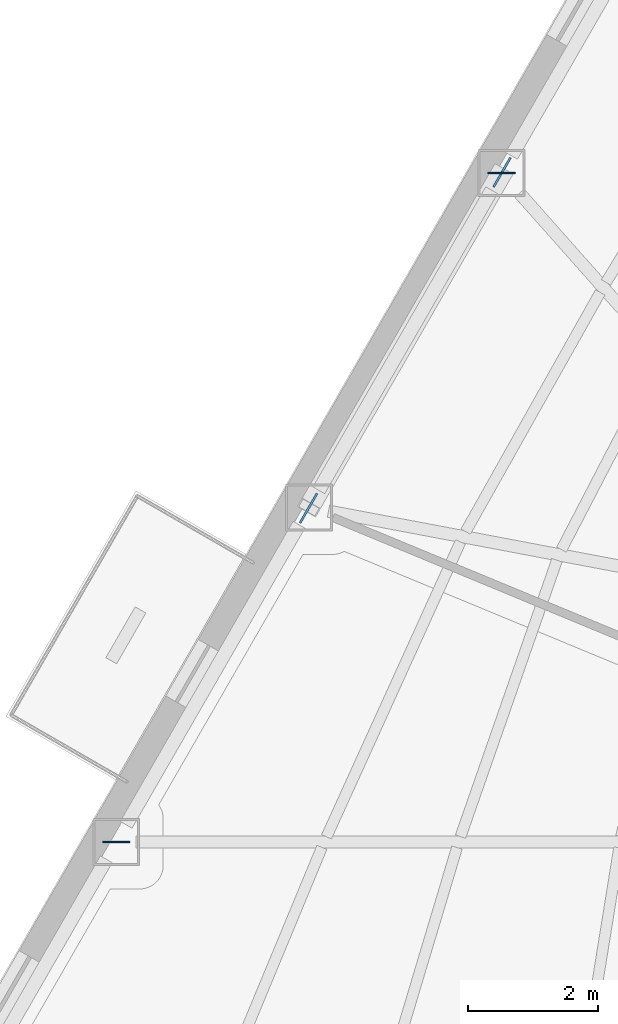
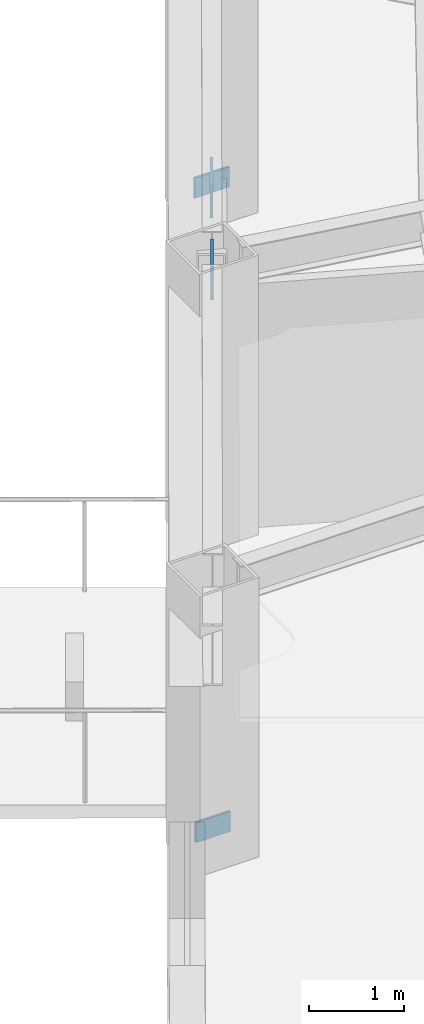
# One storey, part 5 of 12: 4 plates.
"""IFC4 building model written with IfcOpenShell, lengths in metres."""

from ifc_helpers import new_model, si_unit, direction, frame, origin, origin_2d, place, context, subcontext, project, spatial, rectangle, extrude, material, layer, layer_set, type_object, element, save


model = new_model("IFC4")

# Units and contexts
model_context = context("Model", 3, precision=1e-05, world=origin(), true_north=direction((0.0, 1.0)))
body_context = subcontext(model_context, "Body", "Model", "MODEL_VIEW")
ifc_project = project(units=[si_unit("LENGTHUNIT", "METRE"), si_unit("AREAUNIT", "SQUARE_METRE"), si_unit("VOLUMEUNIT", "CUBIC_METRE"), si_unit("PLANEANGLEUNIT", "RADIAN"), si_unit("MASSUNIT", "GRAM", prefix="KILO")], contexts=[model_context])

# Site, building, storey
site_placement = place(None, origin())
site = spatial("IfcSite", under=ifc_project, at=site_placement, CompositionType="ELEMENT")
building_placement = place(site_placement, origin())
building = spatial("IfcBuilding", under=site, at=building_placement, Name="Kavelnor Concourse Tower", CompositionType="ELEMENT")
storey_placement = place(building_placement, frame((0.0, 0.0, 120.14990234375)))
storey = spatial("IfcBuildingStorey", under=building, at=storey_placement, Name="L30", CompositionType="ELEMENT", Elevation=120.14990234375)

# Plates
ifc_material = material(Name="Steel Grade 350", Category="steel")
ifc_layer_1 = layer(ifc_material, 0.031982421875, Name="Steel Grade 350")
ifc_layer_set_1 = layer_set([ifc_layer_1], Name="Steel Grade 350")
plate_type_1 = type_object("IfcPlateType", Name="PL-GUSSET-TUBE-Z1", PredefinedType="USERDEFINED", material=ifc_layer_set_1)
for number, where, z_axis, x_axis, name in (
    (1, (23.31689453125, 28.551025390625, 0.01025390625), (0.0, 0.0, 1.0), (-0.499092826328, -0.866548527613, 0.0), "L30 Tube Brace Gusset GP3 F0-B3 End Gusset A"),
    (2, (20.347412109375, 23.39599609375, 3.12353515625), (0.0, 0.0, 1.0), (-0.499092826328, -0.866548527613, 0.0), "L30 Tube Brace Gusset GP3 F0-B3 End Gusset B"),
):
    element("IfcPlate", number, at=place(storey_placement, frame(where, z_axis=z_axis, x_axis=x_axis)), inside=storey, type_object=plate_type_1, Name=name, ObjectType="GUSSET_PLATE", PredefinedType="USERDEFINED", context=body_context, shape_type="SweptSolid", body=[
        extrude(rectangle(XDim=0.52001953125, YDim=0.031982421875, at=origin_2d()), origin(), (0.0, 0.0, 1.0), 0.419921875),
    ])
ifc_layer_2 = layer(ifc_material, 0.02490234375, Name="Steel Grade 350")
ifc_layer_set_2 = layer_set([ifc_layer_2], Name="Steel Grade 350")
plate_type_2 = type_object("IfcPlateType", Name="PL-SPLICE-FLANGE", PredefinedType="SHEET", material=ifc_layer_set_2)
for number, where, z_axis, x_axis, name in (
    (3, (23.310791015625, 28.540771484375, 0.169921875), (0.0, 0.0, 1.0), (1.0, 0.0, 0.0), "L30 Column Flange Splice Plate F0-B3"),
    (4, (17.39599609375, 18.272216796875, 0.169921875), (0.0, 0.0, 1.0), (1.0, 0.0, 0.0), "L30 Column Flange Splice Plate F0-B5"),
):
    element("IfcPlate", number, at=place(storey_placement, frame(where, z_axis=z_axis, x_axis=x_axis)), inside=storey, type_object=plate_type_2, Name=name, PredefinedType="SHEET", context=body_context, shape_type="SweptSolid", body=[
        extrude(rectangle(XDim=0.419921875, YDim=0.02490234375, at=origin_2d()), origin(), (0.0, 0.0, 1.0), 0.260009765625),
    ])

save(model, "model.ifc")
